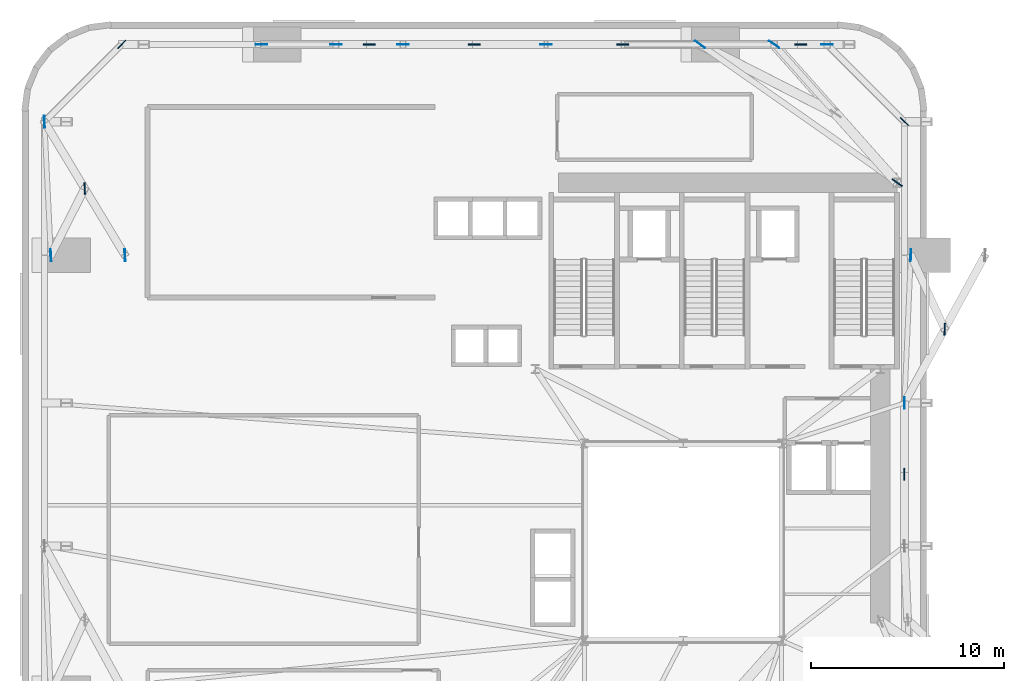
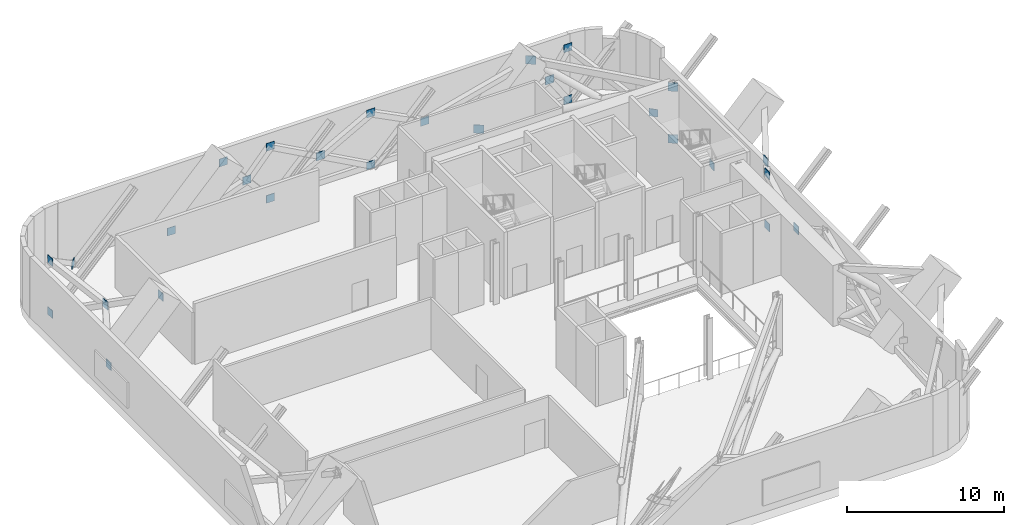
# One storey, part 6 of 12: 28 plates.
"""IFC4 building model written with IfcOpenShell, lengths in metres."""

from ifc_helpers import new_model, si_unit, direction, frame, origin, origin_2d, place, context, subcontext, project, spatial, rectangle, extrude, source, transform, mapped, material, layer, layer_set, type_object, element, save


model = new_model("IFC4")

# Units and contexts
model_context = context("Model", 3, precision=1e-05, world=origin(), true_north=direction((0.0, 1.0)))
body_context = subcontext(model_context, "Body", "Model", "MODEL_VIEW")
ifc_project = project(units=[si_unit("LENGTHUNIT", "METRE"), si_unit("AREAUNIT", "SQUARE_METRE"), si_unit("VOLUMEUNIT", "CUBIC_METRE"), si_unit("PLANEANGLEUNIT", "RADIAN"), si_unit("MASSUNIT", "GRAM", prefix="KILO")], contexts=[model_context])

# Site, building, storey
site_placement = place(None, origin())
site = spatial("IfcSite", under=ifc_project, at=site_placement, CompositionType="ELEMENT")
building_placement = place(site_placement, origin())
building = spatial("IfcBuilding", under=site, at=building_placement, Name="Vardaveli Station Tower", CompositionType="ELEMENT")
storey_placement = place(building_placement, frame((0.0, 0.0, 93.300048828125)))
storey = spatial("IfcBuildingStorey", under=building, at=storey_placement, Name="L24", CompositionType="ELEMENT", Elevation=93.300048828125)

# Plates
ifc_material = material(Name="Structural steel S460M", Category="steel")
ifc_layer_1 = layer(ifc_material, 0.06005859375, Name="Structural steel S460M")
ifc_layer_set_1 = layer_set([ifc_layer_1], Name="Structural steel S460M")
plate_type_1 = type_object("IfcPlateType", Name="PLT-GUSSET-60", PredefinedType="USERDEFINED", material=ifc_layer_set_1)
shared_shape_1 = source(origin(), body_context, "Body", "SweptSolid", [
    extrude(rectangle(XDim=0.64990234375, YDim=0.06005859375, at=origin_2d()), origin(), (0.0, 0.0, 1.0), 0.64990234375),
])
for number, where, z_axis, x_axis, name in (
    (1, (47.3701171875, 40.300048828125, 0.02490234375), (0.0, 0.0, 1.0), (-0.818851608095, 0.574005264714, 0.0), "PLT-L24-OA4-CB"),
    (2, (47.3701171875, 40.300048828125, 4.074951171875), (0.0, 0.0, 1.0), (-0.818851608095, 0.574005264714, 0.0), "PLT-L24-OA4-CT"),
):
    element("IfcPlate", number, at=place(storey_placement, frame(where, z_axis=z_axis, x_axis=x_axis)), inside=storey, type_object=plate_type_1, Name=name, ObjectType="GUSSET PLATE", PredefinedType="USERDEFINED", context=body_context, shape_type="MappedRepresentation", body=[
        mapped(shared_shape_1, transform((0.0, 0.0, 0.0), scale=1.0)),
    ])
ifc_layer_2 = layer(ifc_material, 0.0400390625, Name="Structural steel S460M")
ifc_layer_set_2 = layer_set([ifc_layer_2], Name="Structural steel S460M")
plate_type_2 = type_object("IfcPlateType", Name="PLT-CAP-40", PredefinedType="USERDEFINED", material=ifc_layer_set_2)
shared_shape_2 = source(origin(), body_context, "Body", "SweptSolid", [
    extrude(rectangle(XDim=0.64990234375, YDim=0.0400390625, at=origin_2d()), origin(), (0.0, 0.0, 1.0), 0.64990234375),
])
for number, where, z_axis, x_axis, name in (
    (3, (37.171630859375, 47.449951171875, 0.02490234375), (0.0, 0.0, 1.0), (-0.818851608095, 0.574005264714, 0.0), "PLT-L24-OA4-MB"),
    (4, (41.00830078125, 47.449951171875, 4.074951171875), (0.0, 0.0, 1.0), (-0.818851608095, 0.574005264714, 0.0), "PLT-L24-OA4-MT"),
):
    element("IfcPlate", number, at=place(storey_placement, frame(where, z_axis=z_axis, x_axis=x_axis)), inside=storey, type_object=plate_type_2, Name=name, ObjectType="GUSSET PLATE", PredefinedType="USERDEFINED", context=body_context, shape_type="MappedRepresentation", body=[
        mapped(shared_shape_2, transform((0.0, 0.0, 0.0), scale=1.0)),
    ])
shared_shape_3 = source(origin(), body_context, "Body", "SweptSolid", [
    extrude(rectangle(XDim=0.6201171875, YDim=0.06005859375, at=origin_2d()), origin(), (0.0, 0.0, 1.0), 0.6201171875),
])
for number, where, z_axis, x_axis, name in (
    (5, (47.75, 25.199951171875, 2.06494140625), (0.0, 0.0, 1.0), (0.0, 1.0, 0.0), "PLT-L24-BLTX-07"),
    (6, (49.834228515625, 32.719970703125, 2.06494140625), (0.0, 0.0, 1.0), (0.043445019893, 0.999055819385, 0.0), "PLT-L24-BLTX-08"),
    (7, (42.379150390625, 47.449951171875, 2.06494140625), (0.0, 0.0, 1.0), (-1.0, 0.0, 0.0), "PLT-L24-BLTX-09"),
    (8, (33.185791015625, 47.449951171875, 2.06494140625), (0.0, 0.0, 1.0), (-1.0, 0.0, 0.0), "PLT-L24-BLTX-10"),
    (9, (25.5, 47.449951171875, 2.06494140625), (0.0, 0.0, 1.0), (-1.0, 0.0, 0.0), "PLT-L24-BLTX-11"),
    (10, (20.064208984375, 47.449951171875, 2.06494140625), (0.0, 0.0, 1.0), (-1.0, 0.0, 0.0), "PLT-L24-BLTX-12"),
    (11, (5.334228515625, 39.9951171875, 2.06494140625), (0.0, 0.0, 1.0), (0.047978128521, -0.998848386485, 0.0), "PLT-L24-BLTX-13"),
):
    element("IfcPlate", number, at=place(storey_placement, frame(where, z_axis=z_axis, x_axis=x_axis)), inside=storey, type_object=plate_type_1, Name=name, ObjectType="GUSSET PLATE", PredefinedType="USERDEFINED", context=body_context, shape_type="MappedRepresentation", body=[
        mapped(shared_shape_3, transform((0.0, 0.0, 0.0), scale=1.0)),
    ])
shared_shape_4 = source(origin(), body_context, "Body", "SweptSolid", [
    extrude(rectangle(XDim=0.60009765625, YDim=0.0400390625, at=origin_2d()), origin(), (0.0, 0.0, 1.0), 0.60009765625),
])
for number, where, z_axis, x_axis, name in (
    (12, (47.75, 28.89990234375, 0.0498046875), (0.0, 0.0, 1.0), (0.0, 1.0, 0.0), "PLT-L24-BLTBB-07"),
    (13, (47.75, 28.89990234375, 4.099853515625), (0.0, 0.0, 1.0), (0.0, 1.0, 0.0), "PLT-L24-BLTBT-07"),
    (14, (48.08154296875, 36.5400390625, 0.0498046875), (0.0, 0.0, 1.0), (0.043445019893, 0.999055819385, 0.0), "PLT-L24-BLTBB-08"),
    (15, (43.75, 47.449951171875, 0.0498046875), (0.0, 0.0, 1.0), (-1.0, 0.0, 0.0), "PLT-L24-BLTAB-09"),
    (16, (43.75, 47.449951171875, 4.099853515625), (0.0, 0.0, 1.0), (-1.0, 0.0, 0.0), "PLT-L24-BLTAT-09"),
    (17, (29.199951171875, 47.449951171875, 0.0498046875), (0.0, 0.0, 1.0), (-1.0, 0.0, 0.0), "PLT-L24-BLTBB-10"),
    (18, (29.199951171875, 47.449951171875, 4.099853515625), (0.0, 0.0, 1.0), (-1.0, 0.0, 0.0), "PLT-L24-BLTBT-10"),
    (19, (21.800048828125, 47.449951171875, 0.0498046875), (0.0, 0.0, 1.0), (-1.0, 0.0, 0.0), "PLT-L24-BLTBB-11"),
    (20, (21.800048828125, 47.449951171875, 4.099853515625), (0.0, 0.0, 1.0), (-1.0, 0.0, 0.0), "PLT-L24-BLTBT-11"),
    (21, (14.49169921875, 47.449951171875, 0.0498046875), (0.0, 0.0, 1.0), (-1.0, 0.0, 0.0), "PLT-L24-BLTBB-12"),
    (22, (18.328369140625, 47.449951171875, 4.099853515625), (0.0, 0.0, 1.0), (-1.0, 0.0, 0.0), "PLT-L24-BLTBT-12"),
    (23, (3.25, 43.449951171875, 0.0498046875), (0.0, 0.0, 1.0), (0.047978128521, -0.998848386485, 0.0), "PLT-L24-BLTAB-13"),
    (24, (3.58154296875, 36.5400390625, 0.0498046875), (0.0, 0.0, 1.0), (0.047978128521, -0.998848386485, 0.0), "PLT-L24-BLTBB-13"),
    (25, (3.25, 43.449951171875, 4.099853515625), (0.0, 0.0, 1.0), (0.047978128521, -0.998848386485, 0.0), "PLT-L24-BLTAT-13"),
    (26, (7.41845703125, 36.5400390625, 4.099853515625), (0.0, 0.0, 1.0), (0.047978128521, -0.998848386485, 0.0), "PLT-L24-BLTBT-13"),
):
    element("IfcPlate", number, at=place(storey_placement, frame(where, z_axis=z_axis, x_axis=x_axis)), inside=storey, type_object=plate_type_2, Name=name, ObjectType="GUSSET PLATE", PredefinedType="USERDEFINED", context=body_context, shape_type="MappedRepresentation", body=[
        mapped(shared_shape_4, transform((0.0, 0.0, 0.0), scale=1.0)),
    ])
shared_shape_5 = source(origin(), body_context, "Body", "SweptSolid", [
    extrude(rectangle(XDim=0.580078125, YDim=0.0400390625, at=origin_2d()), origin(), (0.0, 0.0, 1.0), 0.580078125),
])
for number, where, z_axis, x_axis, name in (
    (27, (47.75, 43.449951171875, 0.059814453125), (0.0, 0.0, 1.0), (-0.707106781187, 0.707106781187, 0.0), "PLT-L24-STRB-3"),
    (28, (7.25, 47.449951171875, 0.059814453125), (0.0, 0.0, 1.0), (-0.707106781187, -0.707106781187, 0.0), "PLT-L24-STRB-4"),
):
    element("IfcPlate", number, at=place(storey_placement, frame(where, z_axis=z_axis, x_axis=x_axis)), inside=storey, type_object=plate_type_2, Name=name, ObjectType="GUSSET PLATE", PredefinedType="USERDEFINED", context=body_context, shape_type="MappedRepresentation", body=[
        mapped(shared_shape_5, transform((0.0, 0.0, 0.0), scale=1.0)),
    ])

save(model, "model.ifc")
